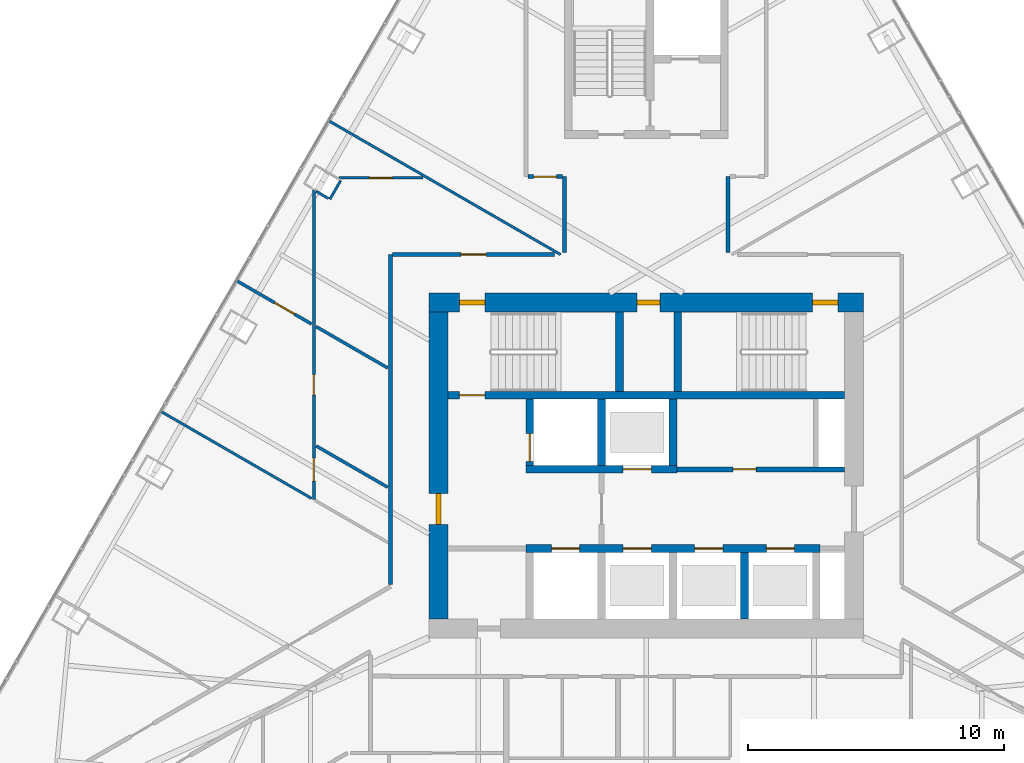
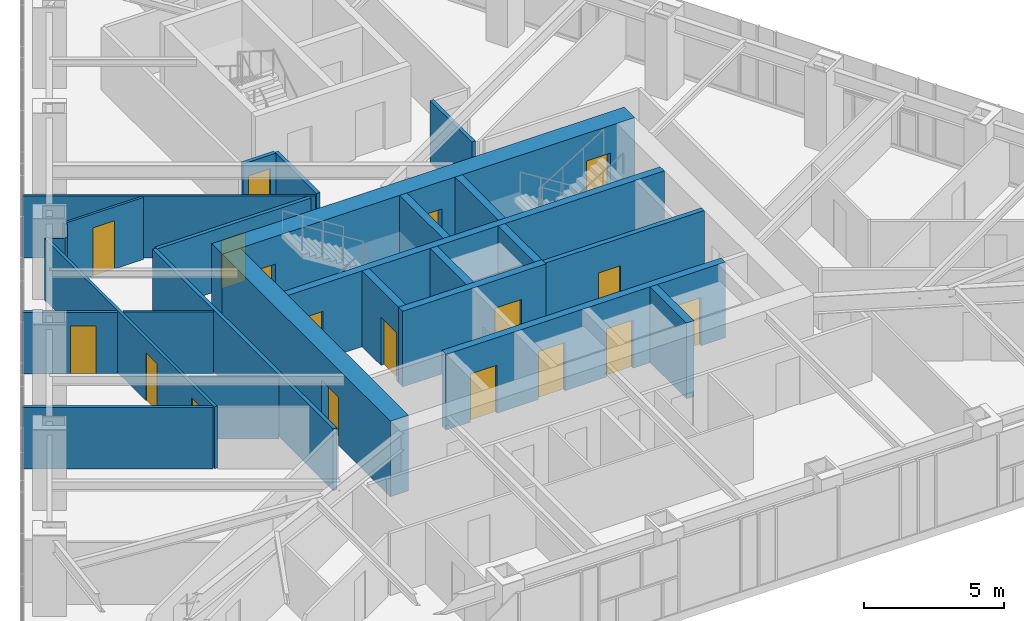
# One storey, part 16 of 20: 26 walls, 18 doors, 18 openings.
"""IFC4 building model written with IfcOpenShell, lengths in metres."""

from ifc_helpers import new_model, si_unit, direction, frame, frame_2d, origin, place, context, subcontext, project, spatial, rectangle, extrude, material, layer, layer_set, type_object, element, fill, save


model = new_model("IFC4")

# Units and contexts
model_context = context("Model", 3, precision=1e-05, world=origin(), true_north=direction((0.0, 1.0)))
body_context = subcontext(model_context, "Body", "Model", "MODEL_VIEW")
ifc_project = project(units=[si_unit("LENGTHUNIT", "METRE"), si_unit("AREAUNIT", "SQUARE_METRE"), si_unit("VOLUMEUNIT", "CUBIC_METRE"), si_unit("PLANEANGLEUNIT", "RADIAN"), si_unit("MASSUNIT", "GRAM", prefix="KILO")], contexts=[model_context])

# Site, building, storey
site_placement = place(None, origin())
site = spatial("IfcSite", under=ifc_project, at=site_placement, CompositionType="ELEMENT")
building_placement = place(site_placement, origin())
building = spatial("IfcBuilding", under=site, at=building_placement, Name="Firuza Gate Tower and Library", CompositionType="ELEMENT")
storey_placement = place(building_placement, frame((0.0, 0.0, 277.60009765625)))
storey = spatial("IfcBuildingStorey", under=building, at=storey_placement, Name="L66", CompositionType="ELEMENT", Elevation=277.60009765625)

# Wall, opening, door
ifc_material_1 = material(Name="Plasterboard on steel studs", Category="steel")
ifc_layer_1 = layer(ifc_material_1, 0.199951171875)
ifc_layer_set_1 = layer_set([ifc_layer_1], Name="Core partition 200 EI 120")
wall_type_1 = type_object("IfcWallType", Name="Core partition 200 EI 120", PredefinedType="PARTITIONING", material=ifc_layer_set_1)
wall_1_placement = place(storey_placement, frame((76.199951171875, 74.85009765625, 0.0), z_axis=(0.0, 0.0, 1.0), x_axis=(1.0, 0.0, 0.0)))
wall_1 = element("IfcWall", 1, at=wall_1_placement, inside=storey, type_object=wall_type_1, Name="Core partition L66 3", PredefinedType="PARTITIONING", context=body_context, shape_type="SweptSolid", body=[
    extrude(rectangle(XDim=6.550048828125, YDim=0.199951171875, at=frame_2d((3.27490234375, 0.0))), origin(), (0.0, 0.0, 1.0), 3.2998046875),
])
opening_1_placement = place(wall_1_placement, frame((2.199951171875, 0.0, 0.0)))
opening_1 = element("IfcOpeningElement", 2, at=opening_1_placement, cuts=wall_1, Name="Opening L66-K18", PredefinedType="OPENING", context=body_context, shape_type="SweptSolid", body=[
    extrude(rectangle(XDim=0.89990234375, YDim=2.10009765625, at=frame_2d((0.449951171875, 1.050048828125))), frame((0.0, 0.10986328125, 0.0), z_axis=(0.0, -1.0, 0.0), x_axis=(1.0, 0.0, 0.0)), (0.0, 0.0, 1.0), 0.219970703125),
])
ifc_material_2 = material(Name="Steel", Category="steel")
door_type_1 = type_object("IfcDoorType", Name="Fire door 900x2100 FD30S", OperationType="NOTDEFINED", PredefinedType="DOOR", material=ifc_material_2)
door_1_placement = place(opening_1_placement, origin())
door_1 = element("IfcDoor", 3, at=door_1_placement, inside=storey, type_object=door_type_1, Name="Door L66-K18", OperationType="SINGLE_SWING_LEFT", OverallHeight=2.10009765625, OverallWidth=0.89990234375, PredefinedType="DOOR", context=body_context, shape_type="SweptSolid", body=[
    extrude(rectangle(XDim=0.89990234375, YDim=2.10009765625, at=frame_2d((0.449951171875, 1.050048828125))), frame((0.0, 0.02490234375, 0.0), z_axis=(0.0, -1.0, 0.0), x_axis=(1.0, 0.0, 0.0)), (0.0, 0.0, 1.0), 0.050048828125),
])
fill(opening_1, door_1)

# Wall, openings, doors
ifc_material_3 = material(Name="Concrete C60/75", Category="concrete")
ifc_layer_2 = layer(ifc_material_3, 0.300048828125)
ifc_layer_set_2 = layer_set([ifc_layer_2], Name="Core wall 300 C60/75")
wall_type_2 = type_object("IfcWallType", Name="Core wall 300 C60/75", PredefinedType="SHEAR", material=ifc_layer_set_2)
wall_2_placement = place(storey_placement, frame((70.300048828125, 71.75, 0.0), z_axis=(0.0, 0.0, 1.0), x_axis=(1.0, 0.0, 0.0)))
wall_2 = element("IfcWall", 4, at=wall_2_placement, inside=storey, type_object=wall_type_2, Name="Core wall L66 5", PredefinedType="SHEAR", context=body_context, shape_type="SweptSolid", body=[
    extrude(rectangle(XDim=11.5, YDim=0.300048828125, at=frame_2d((5.75, 0.0))), origin(), (0.0, 0.0, 1.0), 3.2998046875),
])
opening_2_placement = place(wall_2_placement, frame((1.0, 0.0, 0.0)))
opening_2 = element("IfcOpeningElement", 5, at=opening_2_placement, cuts=wall_2, Name="Opening LD-FF1-L66", PredefinedType="OPENING", context=body_context, shape_type="SweptSolid", body=[
    extrude(rectangle(XDim=1.10009765625, YDim=2.10009765625, at=frame_2d((0.550048828125, 1.050048828125))), frame((0.0, 0.16015625, 0.0), z_axis=(0.0, -1.0, 0.0), x_axis=(1.0, 0.0, 0.0)), (0.0, 0.0, 1.0), 0.320068359375),
])
opening_3_placement = place(wall_2_placement, frame((3.800048828125, 0.0, 0.0)))
opening_3 = element("IfcOpeningElement", 6, at=opening_3_placement, cuts=wall_2, Name="Opening LD-HR1-L66", PredefinedType="OPENING", context=body_context, shape_type="SweptSolid", body=[
    extrude(rectangle(XDim=1.10009765625, YDim=2.10009765625, at=frame_2d((0.550048828125, 1.050048828125))), frame((0.0, 0.16015625, 0.0), z_axis=(0.0, -1.0, 0.0), x_axis=(1.0, 0.0, 0.0)), (0.0, 0.0, 1.0), 0.320068359375),
])
opening_4_placement = place(wall_2_placement, frame((6.60009765625, 0.0, 0.0)))
opening_4 = element("IfcOpeningElement", 7, at=opening_4_placement, cuts=wall_2, Name="Opening LD-HR2-L66", PredefinedType="OPENING", context=body_context, shape_type="SweptSolid", body=[
    extrude(rectangle(XDim=1.10009765625, YDim=2.10009765625, at=frame_2d((0.550048828125, 1.050048828125))), frame((0.0, 0.16015625, 0.0), z_axis=(0.0, -1.0, 0.0), x_axis=(1.0, 0.0, 0.0)), (0.0, 0.0, 1.0), 0.320068359375),
])
opening_5_placement = place(wall_2_placement, frame((9.39990234375, 0.0, 0.0)))
opening_5 = element("IfcOpeningElement", 8, at=opening_5_placement, cuts=wall_2, Name="Opening LD-HR3-L66", PredefinedType="OPENING", context=body_context, shape_type="SweptSolid", body=[
    extrude(rectangle(XDim=1.10009765625, YDim=2.10009765625, at=frame_2d((0.550048828125, 1.050048828125))), frame((0.0, 0.16015625, 0.0), z_axis=(0.0, -1.0, 0.0), x_axis=(1.0, 0.0, 0.0)), (0.0, 0.0, 1.0), 0.320068359375),
])
ifc_material_4 = material(Name="Stainless steel", Category="steel")
door_type_2 = type_object("IfcDoorType", Name="Lift landing door 1100x2100", OperationType="DOUBLE_DOOR_SLIDING", PredefinedType="DOOR", material=ifc_material_4)
door_2_placement = place(opening_2_placement, origin())
door_2 = element("IfcDoor", 9, at=door_2_placement, inside=storey, type_object=door_type_2, Name="Landing door FF1 L66", OperationType="DOUBLE_DOOR_SLIDING", OverallHeight=2.10009765625, OverallWidth=1.10009765625, PredefinedType="DOOR", context=body_context, shape_type="SweptSolid", body=[
    extrude(rectangle(XDim=1.10009765625, YDim=2.10009765625, at=frame_2d((0.550048828125, 1.050048828125))), frame((0.0, 0.02490234375, 0.0), z_axis=(0.0, -1.0, 0.0), x_axis=(1.0, 0.0, 0.0)), (0.0, 0.0, 1.0), 0.050048828125),
])
fill(opening_2, door_2)
door_3_placement = place(opening_3_placement, origin())
door_3 = element("IfcDoor", 10, at=door_3_placement, inside=storey, type_object=door_type_2, Name="Landing door HR1 L66", OperationType="DOUBLE_DOOR_SLIDING", OverallHeight=2.10009765625, OverallWidth=1.10009765625, PredefinedType="DOOR", context=body_context, shape_type="SweptSolid", body=[
    extrude(rectangle(XDim=1.10009765625, YDim=2.10009765625, at=frame_2d((0.550048828125, 1.050048828125))), frame((0.0, 0.02490234375, 0.0), z_axis=(0.0, -1.0, 0.0), x_axis=(1.0, 0.0, 0.0)), (0.0, 0.0, 1.0), 0.050048828125),
])
fill(opening_3, door_3)
door_4_placement = place(opening_4_placement, origin())
door_4 = element("IfcDoor", 11, at=door_4_placement, inside=storey, type_object=door_type_2, Name="Landing door HR2 L66", OperationType="DOUBLE_DOOR_SLIDING", OverallHeight=2.10009765625, OverallWidth=1.10009765625, PredefinedType="DOOR", context=body_context, shape_type="SweptSolid", body=[
    extrude(rectangle(XDim=1.10009765625, YDim=2.10009765625, at=frame_2d((0.550048828125, 1.050048828125))), frame((0.0, 0.02490234375, 0.0), z_axis=(0.0, -1.0, 0.0), x_axis=(1.0, 0.0, 0.0)), (0.0, 0.0, 1.0), 0.050048828125),
])
fill(opening_4, door_4)
door_5_placement = place(opening_5_placement, origin())
door_5 = element("IfcDoor", 12, at=door_5_placement, inside=storey, type_object=door_type_2, Name="Landing door HR3 L66", OperationType="DOUBLE_DOOR_SLIDING", OverallHeight=2.10009765625, OverallWidth=1.10009765625, PredefinedType="DOOR", context=body_context, shape_type="SweptSolid", body=[
    extrude(rectangle(XDim=1.10009765625, YDim=2.10009765625, at=frame_2d((0.550048828125, 1.050048828125))), frame((0.0, 0.02490234375, 0.0), z_axis=(0.0, -1.0, 0.0), x_axis=(1.0, 0.0, 0.0)), (0.0, 0.0, 1.0), 0.050048828125),
])
fill(opening_5, door_5)

# Wall, opening, door
wall_3_placement = place(storey_placement, frame((70.300048828125, 74.85009765625, 0.0), z_axis=(0.0, 0.0, 1.0), x_axis=(1.0, 0.0, 0.0)))
wall_3 = element("IfcWall", 13, at=wall_3_placement, inside=storey, type_object=wall_type_2, Name="Core wall L66 6", PredefinedType="SHEAR", context=body_context, shape_type="SweptSolid", body=[
    extrude(rectangle(XDim=5.89990234375, YDim=0.300048828125, at=frame_2d((2.949951171875, 0.0))), origin(), (0.0, 0.0, 1.0), 3.2998046875),
])
opening_6_placement = place(wall_3_placement, frame((3.800048828125, 0.0, 0.0)))
opening_6 = element("IfcOpeningElement", 14, at=opening_6_placement, cuts=wall_3, Name="Opening LD-HR4-L66", PredefinedType="OPENING", context=body_context, shape_type="SweptSolid", body=[
    extrude(rectangle(XDim=1.10009765625, YDim=2.10009765625, at=frame_2d((0.550048828125, 1.050048828125))), frame((0.0, 0.16015625, 0.0), z_axis=(0.0, -1.0, 0.0), x_axis=(1.0, 0.0, 0.0)), (0.0, 0.0, 1.0), 0.320068359375),
])
door_6_placement = place(opening_6_placement, origin())
door_6 = element("IfcDoor", 15, at=door_6_placement, inside=storey, type_object=door_type_2, Name="Landing door HR4 L66", OperationType="DOUBLE_DOOR_SLIDING", OverallHeight=2.10009765625, OverallWidth=1.10009765625, PredefinedType="DOOR", context=body_context, shape_type="SweptSolid", body=[
    extrude(rectangle(XDim=1.10009765625, YDim=2.10009765625, at=frame_2d((0.550048828125, 1.050048828125))), frame((0.0, 0.02490234375, 0.0), z_axis=(0.0, -1.0, 0.0), x_axis=(1.0, 0.0, 0.0)), (0.0, 0.0, 1.0), 0.050048828125),
])
fill(opening_6, door_6)

wall_4_placement = place(storey_placement, frame((70.449951171875, 75.0, 0.0), z_axis=(0.0, 0.0, 1.0), x_axis=(0.0, 1.0, 0.0)))
wall_4 = element("IfcWall", 16, at=wall_4_placement, inside=storey, type_object=wall_type_2, Name="Core wall L66 8", PredefinedType="SHEAR", context=body_context, shape_type="SweptSolid", body=[
    extrude(rectangle(XDim=2.60009765625, YDim=0.300048828125, at=frame_2d((1.300048828125, 0.0))), origin(), (0.0, 0.0, 1.0), 3.2998046875),
])
opening_7_placement = place(wall_4_placement, frame((0.14990234375, 0.0, 0.0)))
opening_7 = element("IfcOpeningElement", 17, at=opening_7_placement, cuts=wall_4, Name="Opening LD-FF2-L66", PredefinedType="OPENING", context=body_context, shape_type="SweptSolid", body=[
    extrude(rectangle(XDim=1.10009765625, YDim=2.10009765625, at=frame_2d((0.550048828125, 1.050048828125))), frame((0.0, 0.16015625, 0.0), z_axis=(0.0, -1.0, 0.0), x_axis=(1.0, 0.0, 0.0)), (0.0, 0.0, 1.0), 0.320068359375),
])
door_7_placement = place(opening_7_placement, origin())
door_7 = element("IfcDoor", 18, at=door_7_placement, inside=storey, type_object=door_type_2, Name="Landing door FF2 L66", OperationType="DOUBLE_DOOR_SLIDING", OverallHeight=2.10009765625, OverallWidth=1.10009765625, PredefinedType="DOOR", context=body_context, shape_type="SweptSolid", body=[
    extrude(rectangle(XDim=1.10009765625, YDim=2.10009765625, at=frame_2d((0.550048828125, 1.050048828125))), frame((0.0, 0.02490234375, 0.0), z_axis=(0.0, -1.0, 0.0), x_axis=(1.0, 0.0, 0.0)), (0.0, 0.0, 1.0), 0.050048828125),
])
fill(opening_7, door_7)

# Walls
for number, where, z_axis, x_axis, name in (
    (19, (73.25, 75.0, 0.0), (0.0, 0.0, 1.0), (0.0, 1.0, 0.0), "Core wall L66 10"),
    (20, (76.050048828125, 75.0, 0.0), (0.0, 0.0, 1.0), (0.0, 1.0, 0.0), "Core wall L66 12"),
    (21, (78.85009765625, 69.0, 0.0), (0.0, 0.0, 1.0), (0.0, 1.0, 0.0), "Core wall L66 13"),
):
    element("IfcWall", number, at=place(storey_placement, frame(where, z_axis=z_axis, x_axis=x_axis)), inside=storey, type_object=wall_type_2, Name=name, PredefinedType="SHEAR", context=body_context, shape_type="SweptSolid", body=[
        extrude(rectangle(XDim=2.60009765625, YDim=0.300048828125, at=frame_2d((1.300048828125, 0.0))), origin(), (0.0, 0.0, 1.0), 3.2998046875),
    ])

# Wall, opening, door
wall_5_placement = place(storey_placement, frame((67.25, 77.75, 0.0), z_axis=(0.0, 0.0, 1.0), x_axis=(1.0, 0.0, 0.0)))
wall_5 = element("IfcWall", 22, at=wall_5_placement, inside=storey, type_object=wall_type_2, Name="Core wall L66 15", PredefinedType="SHEAR", context=body_context, shape_type="SweptSolid", body=[
    extrude(rectangle(XDim=15.5, YDim=0.300048828125, at=frame_2d((7.75, 0.0))), origin(), (0.0, 0.0, 1.0), 3.2998046875),
])
opening_8_placement = place(wall_5_placement, frame((0.445068359375, 0.0, 0.0)))
opening_8 = element("IfcOpeningElement", 23, at=opening_8_placement, cuts=wall_5, Name="Opening L66-K08", PredefinedType="OPENING", context=body_context, shape_type="SweptSolid", body=[
    extrude(rectangle(XDim=1.0, YDim=2.10009765625, at=frame_2d((0.5, 1.050048828125))), frame((0.0, 0.16015625, 0.0), z_axis=(0.0, -1.0, 0.0), x_axis=(1.0, 0.0, 0.0)), (0.0, 0.0, 1.0), 0.320068359375),
])
ifc_material_5 = material(Name="Steel", Category="steel")
door_type_3 = type_object("IfcDoorType", Name="Fire door 1000x2100 FD90", OperationType="NOTDEFINED", PredefinedType="DOOR", material=ifc_material_5)
door_8_placement = place(opening_8_placement, origin())
door_8 = element("IfcDoor", 24, at=door_8_placement, inside=storey, type_object=door_type_3, Name="Door L66-K08", OperationType="SINGLE_SWING_LEFT", OverallHeight=2.10009765625, OverallWidth=1.0, PredefinedType="DOOR", context=body_context, shape_type="SweptSolid", body=[
    extrude(rectangle(XDim=1.0, YDim=2.10009765625, at=frame_2d((0.5, 1.050048828125))), frame((0.0, 0.02490234375, 0.0), z_axis=(0.0, -1.0, 0.0), x_axis=(1.0, 0.0, 0.0)), (0.0, 0.0, 1.0), 0.050048828125),
])
fill(opening_8, door_8)

# Walls
for number, where, z_axis, x_axis, name in (
    (25, (73.9599609375, 77.89990234375, 0.0), (0.0, 0.0, 1.0), (0.0, 1.0, 0.0), "Core wall L66 16"),
    (26, (76.239990234375, 77.89990234375, 0.0), (0.0, 0.0, 1.0), (0.0, 1.0, 0.0), "Core wall L66 17"),
):
    element("IfcWall", number, at=place(storey_placement, frame(where, z_axis=z_axis, x_axis=x_axis)), inside=storey, type_object=wall_type_2, Name=name, PredefinedType="SHEAR", context=body_context, shape_type="SweptSolid", body=[
        extrude(rectangle(XDim=3.10009765625, YDim=0.300048828125, at=frame_2d((1.550048828125, 0.0))), origin(), (0.0, 0.0, 1.0), 3.2998046875),
    ])

# Wall, openings, doors
ifc_material_6 = material(Name="Concrete C60/75", Category="concrete")
ifc_layer_3 = layer(ifc_material_6, 0.75)
ifc_layer_set_3 = layer_set([ifc_layer_3], Name="Core wall 750 C60/75")
wall_type_3 = type_object("IfcWallType", Name="Core wall 750 C60/75", PredefinedType="SHEAR", material=ifc_layer_set_3)
wall_6_placement = place(storey_placement, frame((66.5, 81.375, 0.0), z_axis=(0.0, 0.0, 1.0), x_axis=(1.0, 0.0, 0.0)))
wall_6 = element("IfcWall", 27, at=wall_6_placement, inside=storey, type_object=wall_type_3, Name="Core wall L66 2", PredefinedType="SHEAR", context=body_context, shape_type="SweptSolid", body=[
    extrude(rectangle(XDim=17.0, YDim=0.75, at=frame_2d((8.5, 0.0))), origin(), (0.0, 0.0, 1.0), 3.2998046875),
])
opening_9_placement = place(wall_6_placement, frame((1.195068359375, 0.0, 0.0)))
opening_9 = element("IfcOpeningElement", 28, at=opening_9_placement, cuts=wall_6, Name="Opening L66-K09", PredefinedType="OPENING", context=body_context, shape_type="SweptSolid", body=[
    extrude(rectangle(XDim=1.0, YDim=2.10009765625, at=frame_2d((0.5, 1.050048828125))), frame((0.0, 0.385009765625, 0.0), z_axis=(0.0, -1.0, 0.0), x_axis=(1.0, 0.0, 0.0)), (0.0, 0.0, 1.0), 0.77001953125),
])
opening_10_placement = place(wall_6_placement, frame((15.0048828125, 0.0, 0.0)))
opening_10 = element("IfcOpeningElement", 29, at=opening_10_placement, cuts=wall_6, Name="Opening L66-K10", PredefinedType="OPENING", context=body_context, shape_type="SweptSolid", body=[
    extrude(rectangle(XDim=1.0, YDim=2.10009765625, at=frame_2d((0.5, 1.050048828125))), frame((0.0, 0.385009765625, 0.0), z_axis=(0.0, -1.0, 0.0), x_axis=(1.0, 0.0, 0.0)), (0.0, 0.0, 1.0), 0.77001953125),
])
opening_11_placement = place(wall_6_placement, frame((8.14990234375, 0.0, 0.0)))
opening_11 = element("IfcOpeningElement", 30, at=opening_11_placement, cuts=wall_6, Name="Opening L66-K19", PredefinedType="OPENING", context=body_context, shape_type="SweptSolid", body=[
    extrude(rectangle(XDim=0.89990234375, YDim=2.10009765625, at=frame_2d((0.449951171875, 1.050048828125))), frame((0.0, 0.385009765625, 0.0), z_axis=(0.0, -1.0, 0.0), x_axis=(1.0, 0.0, 0.0)), (0.0, 0.0, 1.0), 0.77001953125),
])
door_9_placement = place(opening_9_placement, origin())
door_9 = element("IfcDoor", 31, at=door_9_placement, inside=storey, type_object=door_type_3, Name="Door L66-K09", OperationType="SINGLE_SWING_RIGHT", OverallHeight=2.10009765625, OverallWidth=1.0, PredefinedType="DOOR", context=body_context, shape_type="SweptSolid", body=[
    extrude(rectangle(XDim=1.0, YDim=2.10009765625, at=frame_2d((0.5, 1.050048828125))), frame((0.0, 0.094970703125, 0.0), z_axis=(0.0, -1.0, 0.0), x_axis=(1.0, 0.0, 0.0)), (0.0, 0.0, 1.0), 0.18994140625),
])
fill(opening_9, door_9)
door_10_placement = place(opening_10_placement, origin())
door_10 = element("IfcDoor", 32, at=door_10_placement, inside=storey, type_object=door_type_3, Name="Door L66-K10", OperationType="SINGLE_SWING_LEFT", OverallHeight=2.10009765625, OverallWidth=1.0, PredefinedType="DOOR", context=body_context, shape_type="SweptSolid", body=[
    extrude(rectangle(XDim=1.0, YDim=2.10009765625, at=frame_2d((0.5, 1.050048828125))), frame((0.0, 0.094970703125, 0.0), z_axis=(0.0, -1.0, 0.0), x_axis=(1.0, 0.0, 0.0)), (0.0, 0.0, 1.0), 0.18994140625),
])
fill(opening_10, door_10)
door_11_placement = place(opening_11_placement, origin())
door_11 = element("IfcDoor", 33, at=door_11_placement, inside=storey, type_object=door_type_1, Name="Door L66-K19", OperationType="SINGLE_SWING_RIGHT", OverallHeight=2.10009765625, OverallWidth=0.89990234375, PredefinedType="DOOR", context=body_context, shape_type="SweptSolid", body=[
    extrude(rectangle(XDim=0.89990234375, YDim=2.10009765625, at=frame_2d((0.449951171875, 1.050048828125))), frame((0.0, 0.094970703125, 0.0), z_axis=(0.0, -1.0, 0.0), x_axis=(1.0, 0.0, 0.0)), (0.0, 0.0, 1.0), 0.18994140625),
])
fill(opening_11, door_11)

# Wall, opening, door
wall_7_placement = place(storey_placement, frame((66.875, 69.0, 0.0), z_axis=(0.0, 0.0, 1.0), x_axis=(0.0, 1.0, 0.0)))
wall_7 = element("IfcWall", 34, at=wall_7_placement, inside=storey, type_object=wall_type_3, Name="Core wall L66 3", PredefinedType="SHEAR", context=body_context, shape_type="SweptSolid", body=[
    extrude(rectangle(XDim=12.0, YDim=0.75, at=frame_2d((6.0, 0.0))), origin(), (0.0, 0.0, 1.0), 3.2998046875),
])
opening_12_placement = place(wall_7_placement, frame((3.699951171875, 0.0, 0.0)))
opening_12 = element("IfcOpeningElement", 35, at=opening_12_placement, cuts=wall_7, Name="Opening L66-K15", PredefinedType="OPENING", context=body_context, shape_type="SweptSolid", body=[
    extrude(rectangle(XDim=1.199951171875, YDim=2.10009765625, at=frame_2d((0.60009765625, 1.050048828125))), frame((0.0, 0.385009765625, 0.0), z_axis=(0.0, -1.0, 0.0), x_axis=(1.0, 0.0, 0.0)), (0.0, 0.0, 1.0), 0.77001953125),
])
ifc_material_7 = material(Name="Steel", Category="steel")
door_type_4 = type_object("IfcDoorType", Name="Fire door 1200x2100 FD90S", OperationType="NOTDEFINED", PredefinedType="DOOR", material=ifc_material_7)
door_12_placement = place(opening_12_placement, origin())
door_12 = element("IfcDoor", 36, at=door_12_placement, inside=storey, type_object=door_type_4, Name="Door L66-K15", OperationType="SINGLE_SWING_RIGHT", OverallHeight=2.10009765625, OverallWidth=1.199951171875, PredefinedType="DOOR", context=body_context, shape_type="SweptSolid", body=[
    extrude(rectangle(XDim=1.199951171875, YDim=2.10009765625, at=frame_2d((0.60009765625, 1.050048828125))), frame((0.0, 0.094970703125, 0.0), z_axis=(0.0, -1.0, 0.0), x_axis=(1.0, 0.0, 0.0)), (0.0, 0.0, 1.0), 0.18994140625),
])
fill(opening_12, door_12)

ifc_material_8 = material(Name="Gypsum board partition")
ifc_layer_4 = layer(ifc_material_8, 0.14990234375)
ifc_layer_set_4 = layer_set([ifc_layer_4], Name="Corridor wall 150 double board on steel studs")
wall_type_4 = type_object("IfcWallType", Name="Corridor wall 150 double board on steel studs", PredefinedType="PARTITIONING", material=ifc_layer_set_4)
wall_8_placement = place(storey_placement, frame((65.074951171875, 83.25, 0.0), z_axis=(0.0, 0.0, 1.0), x_axis=(1.0, 0.0, 0.0)))
wall_8 = element("IfcWall", 37, at=wall_8_placement, inside=storey, type_object=wall_type_4, Name="f:L66:w006", PredefinedType="PARTITIONING", context=body_context, shape_type="SweptSolid", body=[
    extrude(rectangle(XDim=6.344970703125, YDim=0.14990234375, at=frame_2d((3.17236328125, 0.0))), origin(), (0.0, 0.0, 1.0), 2.699951171875),
])
opening_13_placement = place(wall_8_placement, frame((2.67236328125, 0.0, 0.0)))
opening_13 = element("IfcOpeningElement", 38, at=opening_13_placement, cuts=wall_8, Name="Opening L66-07", PredefinedType="OPENING", context=body_context, shape_type="SweptSolid", body=[
    extrude(rectangle(XDim=1.0, YDim=2.10009765625, at=frame_2d((0.5, 1.050048828125))), frame((0.0, 0.0849609375, 0.0), z_axis=(0.0, -1.0, 0.0), x_axis=(1.0, 0.0, 0.0)), (0.0, 0.0, 1.0), 0.169921875),
])
ifc_material_9 = material(Name="Steel door and timber leaf", Category="steel")
door_type_5 = type_object("IfcDoorType", Name="Fire door 1000 x 2100 steel frame, timber leaf", OperationType="NOTDEFINED", PredefinedType="DOOR", material=ifc_material_9)
door_13_placement = place(opening_13_placement, origin())
door_13 = element("IfcDoor", 39, at=door_13_placement, inside=storey, type_object=door_type_5, Name="f:L66:d007", OperationType="SINGLE_SWING_RIGHT", OverallHeight=2.10009765625, OverallWidth=1.0, PredefinedType="DOOR", context=body_context, shape_type="SweptSolid", body=[
    extrude(rectangle(XDim=1.0, YDim=2.10009765625, at=frame_2d((0.5, 1.050048828125))), frame((0.0, 0.02490234375, 0.0), z_axis=(0.0, -1.0, 0.0), x_axis=(1.0, 0.0, 0.0)), (0.0, 0.0, 1.0), 0.050048828125),
])
fill(opening_13, door_13)

wall_9_placement = place(storey_placement, frame((70.376953125, 86.300048828125, 0.0), z_axis=(0.0, 0.0, 1.0), x_axis=(1.0, 0.0, 0.0)))
wall_9 = element("IfcWall", 40, at=wall_9_placement, inside=storey, type_object=wall_type_4, Name="f:L66:w009", PredefinedType="PARTITIONING", context=body_context, shape_type="SweptSolid", body=[
    extrude(rectangle(XDim=1.347900390625, YDim=0.14990234375, at=frame_2d((0.673828125, 0.0))), origin(), (0.0, 0.0, 1.0), 2.699951171875),
])
opening_14_placement = place(wall_9_placement, frame((0.223876953125, 0.0, 0.0)))
opening_14 = element("IfcOpeningElement", 41, at=opening_14_placement, cuts=wall_9, Name="Opening L66-10", PredefinedType="OPENING", context=body_context, shape_type="SweptSolid", body=[
    extrude(rectangle(XDim=0.89990234375, YDim=2.10009765625, at=frame_2d((0.449951171875, 1.050048828125))), frame((0.0, 0.0849609375, 0.0), z_axis=(0.0, -1.0, 0.0), x_axis=(1.0, 0.0, 0.0)), (0.0, 0.0, 1.0), 0.169921875),
])
ifc_material_10 = material(Name="Steel door and timber leaf", Category="steel")
door_type_6 = type_object("IfcDoorType", Name="Fire door 900 x 2100 steel frame, timber leaf", OperationType="NOTDEFINED", PredefinedType="DOOR", material=ifc_material_10)
door_14_placement = place(opening_14_placement, origin())
door_14 = element("IfcDoor", 42, at=door_14_placement, inside=storey, type_object=door_type_6, Name="f:L66:d010", OperationType="SINGLE_SWING_RIGHT", OverallHeight=2.10009765625, OverallWidth=0.89990234375, PredefinedType="DOOR", context=body_context, shape_type="SweptSolid", body=[
    extrude(rectangle(XDim=0.89990234375, YDim=2.10009765625, at=frame_2d((0.449951171875, 1.050048828125))), frame((0.0, 0.02490234375, 0.0), z_axis=(0.0, -1.0, 0.0), x_axis=(1.0, 0.0, 0.0)), (0.0, 0.0, 1.0), 0.050048828125),
])
fill(opening_14, door_14)

# Walls
for number, where, z_axis, x_axis, name in (
    (43, (78.199951171875, 83.324951171875, 0.0), (0.0, 0.0, 1.0), (0.0, 1.0, 0.0), "f:L66:w035"),
    (44, (71.800048828125, 83.324951171875, 0.0), (0.0, 0.0, 1.0), (0.0, 1.0, 0.0), "f:L66:w042"),
):
    element("IfcWall", number, at=place(storey_placement, frame(where, z_axis=z_axis, x_axis=x_axis)), inside=storey, type_object=wall_type_4, Name=name, PredefinedType="PARTITIONING", context=body_context, shape_type="SweptSolid", body=[
        extrude(rectangle(XDim=2.97509765625, YDim=0.14990234375, at=frame_2d((1.487548828125, 0.0))), origin(), (0.0, 0.0, 1.0), 2.697021484375),
    ])
wall_10_placement = place(storey_placement, frame((65.0, 70.352294921875, 0.0), z_axis=(0.0, 0.0, 1.0), x_axis=(0.0, 1.0, 0.0)))
element("IfcWall", 45, at=wall_10_placement, inside=storey, type_object=wall_type_4, Name="f:L66:w047", PredefinedType="PARTITIONING", context=body_context, shape_type="SweptSolid", body=[
    extrude(rectangle(XDim=12.897705078125, YDim=0.14990234375, at=frame_2d((6.44873046875, 0.0))), origin(), (0.0, 0.0, 1.0), 2.699951171875),
])

# Wall, opening, door
ifc_material_11 = material(Name="Gypsum board partition")
ifc_layer_5 = layer(ifc_material_11, 0.10009765625)
ifc_layer_set_5 = layer_set([ifc_layer_5], Name="Partition 100 gypsum board on steel studs")
wall_type_5 = type_object("IfcWallType", Name="Partition 100 gypsum board on steel studs", PredefinedType="PARTITIONING", material=ifc_layer_set_5)
wall_11_placement = place(storey_placement, frame((66.2666015625, 86.25, 0.0), z_axis=(0.0, 0.0, 1.0), x_axis=(-1.0, 0.0, 0.0)))
wall_11 = element("IfcWall", 46, at=wall_11_placement, inside=storey, type_object=wall_type_5, Name="f:L66:w008", PredefinedType="PARTITIONING", context=body_context, shape_type="SweptSolid", body=[
    extrude(rectangle(XDim=3.286865234375, YDim=0.10009765625, at=frame_2d((1.6435546875, 0.0))), origin(), (0.0, 0.0, 1.0), 2.699951171875),
])
opening_15_placement = place(wall_11_placement, frame((1.193359375, 0.0, 0.0)))
opening_15 = element("IfcOpeningElement", 47, at=opening_15_placement, cuts=wall_11, Name="Opening L66-09", PredefinedType="OPENING", context=body_context, shape_type="SweptSolid", body=[
    extrude(rectangle(XDim=0.89990234375, YDim=2.10009765625, at=frame_2d((0.449951171875, 1.050048828125))), frame((0.0, 0.06005859375, 0.0), z_axis=(0.0, -1.0, 0.0), x_axis=(1.0, 0.0, 0.0)), (0.0, 0.0, 1.0), 0.1201171875),
])
ifc_material_12 = material(Name="Timber door", Category="wood")
door_type_7 = type_object("IfcDoorType", Name="Door 900 x 2100 timber leaf", OperationType="NOTDEFINED", PredefinedType="DOOR", material=ifc_material_12)
door_15_placement = place(opening_15_placement, origin())
door_15 = element("IfcDoor", 48, at=door_15_placement, inside=storey, type_object=door_type_7, Name="f:L66:d009", OperationType="SINGLE_SWING_RIGHT", OverallHeight=2.10009765625, OverallWidth=0.89990234375, PredefinedType="DOOR", context=body_context, shape_type="SweptSolid", body=[
    extrude(rectangle(XDim=0.89990234375, YDim=2.10009765625, at=frame_2d((0.449951171875, 1.050048828125))), frame((0.0, 0.02490234375, 0.0), z_axis=(0.0, -1.0, 0.0), x_axis=(1.0, 0.0, 0.0)), (0.0, 0.0, 1.0), 0.050048828125),
])
fill(opening_15, door_15)

# Walls
wall_12_placement = place(storey_placement, frame((62.625732421875, 85.4150390625, 0.0), z_axis=(0.0, 0.0, 1.0), x_axis=(0.499973348067, 0.866040790738, 0.0)))
element("IfcWall", 49, at=wall_12_placement, inside=storey, type_object=wall_type_5, Name="f:L66:w027", PredefinedType="PARTITIONING", context=body_context, shape_type="SweptSolid", body=[
    extrude(rectangle(XDim=0.84228515625, YDim=0.10009765625, at=frame_2d((0.421142578125, 0.0))), origin(), (0.0, 0.0, 1.0), 2.699951171875),
])
wall_13_placement = place(storey_placement, frame((71.65283203125, 83.25, 0.0), z_axis=(0.0, 0.0, 1.0), x_axis=(-0.866025448133, 0.499999923186, 0.0)))
element("IfcWall", 50, at=wall_13_placement, inside=storey, type_object=wall_type_5, Name="f:L66:w054", PredefinedType="PARTITIONING", context=body_context, shape_type="SweptSolid", body=[
    extrude(rectangle(XDim=10.4599609375, YDim=0.10009765625, at=frame_2d((5.22998046875, 0.0))), origin(), (0.0, 0.0, 1.0), 2.68798828125),
])
wall_14_placement = place(storey_placement, frame((62.57421875, 85.4453125, 0.0), z_axis=(0.0, 0.0, 1.0), x_axis=(-0.866048512801, 0.499959971872, 0.0)))
element("IfcWall", 51, at=wall_14_placement, inside=storey, type_object=wall_type_5, Name="f:L66:w056", PredefinedType="PARTITIONING", context=body_context, shape_type="SweptSolid", body=[
    extrude(rectangle(XDim=0.5634765625, YDim=0.10009765625, at=frame_2d((0.28173828125, 0.0))), origin(), (0.0, 0.0, 1.0), 2.68798828125),
])
wall_15_placement = place(storey_placement, frame((61.9150390625, 73.709716796875, 0.0), z_axis=(0.0, 0.0, 1.0), x_axis=(-0.866024081565, 0.500002290144, 0.0)))
element("IfcWall", 52, at=wall_15_placement, inside=storey, type_object=wall_type_5, Name="f:L66:w066", PredefinedType="PARTITIONING", context=body_context, shape_type="SweptSolid", body=[
    extrude(rectangle(XDim=6.796875, YDim=0.10009765625, at=frame_2d((3.3984375, 0.0))), origin(), (0.0, 0.0, 1.0), 2.68798828125),
])

# Wall, openings, doors
ifc_material_13 = material(Name="Gypsum board partition")
ifc_layer_6 = layer(ifc_material_13, 0.1201171875)
ifc_layer_set_6 = layer_set([ifc_layer_6], Name="Wet-area partition 120 moisture-resistant board")
wall_type_6 = type_object("IfcWallType", Name="Wet-area partition 120 moisture-resistant board", PredefinedType="PARTITIONING", material=ifc_layer_set_6)
wall_16_placement = place(storey_placement, frame((62.0, 85.7763671875, 0.0), z_axis=(0.0, 0.0, 1.0), x_axis=(0.0, -1.0, 0.0)))
wall_16 = element("IfcWall", 53, at=wall_16_placement, inside=storey, type_object=wall_type_6, Name="f:L66:w050", PredefinedType="PARTITIONING", context=body_context, shape_type="SweptSolid", body=[
    extrude(rectangle(XDim=12.115234375, YDim=0.1201171875, at=frame_2d((6.0576171875, 0.0))), origin(), (0.0, 0.0, 1.0), 2.68798828125),
])
opening_16_placement = place(wall_16_placement, frame((7.225830078125, 0.0, 0.0)))
opening_16 = element("IfcOpeningElement", 54, at=opening_16_placement, cuts=wall_16, Name="Opening L66-20", PredefinedType="OPENING", context=body_context, shape_type="SweptSolid", body=[
    extrude(rectangle(XDim=0.800048828125, YDim=2.10009765625, at=frame_2d((0.39990234375, 1.050048828125))), frame((0.0, 0.070068359375, 0.0), z_axis=(0.0, -1.0, 0.0), x_axis=(1.0, 0.0, 0.0)), (0.0, 0.0, 1.0), 0.14013671875),
])
opening_17_placement = place(wall_16_placement, frame((10.4873046875, 0.0, 0.0)))
opening_17 = element("IfcOpeningElement", 55, at=opening_17_placement, cuts=wall_16, Name="Opening L66-21", PredefinedType="OPENING", context=body_context, shape_type="SweptSolid", body=[
    extrude(rectangle(XDim=0.89990234375, YDim=2.10009765625, at=frame_2d((0.449951171875, 1.050048828125))), frame((0.0, 0.070068359375, 0.0), z_axis=(0.0, -1.0, 0.0), x_axis=(1.0, 0.0, 0.0)), (0.0, 0.0, 1.0), 0.14013671875),
])
ifc_material_14 = material(Name="Timber door", Category="wood")
door_type_8 = type_object("IfcDoorType", Name="Door 800 x 2100 timber leaf", OperationType="NOTDEFINED", PredefinedType="DOOR", material=ifc_material_14)
door_16_placement = place(opening_16_placement, origin())
door_16 = element("IfcDoor", 56, at=door_16_placement, inside=storey, type_object=door_type_8, Name="f:L66:d020", OperationType="SINGLE_SWING_RIGHT", OverallHeight=2.10009765625, OverallWidth=0.800048828125, PredefinedType="DOOR", context=body_context, shape_type="SweptSolid", body=[
    extrude(rectangle(XDim=0.800048828125, YDim=2.10009765625, at=frame_2d((0.39990234375, 1.050048828125))), frame((0.0, 0.02490234375, 0.0), z_axis=(0.0, -1.0, 0.0), x_axis=(1.0, 0.0, 0.0)), (0.0, 0.0, 1.0), 0.050048828125),
])
fill(opening_16, door_16)
door_17_placement = place(opening_17_placement, origin())
door_17 = element("IfcDoor", 57, at=door_17_placement, inside=storey, type_object=door_type_7, Name="f:L66:d021", OperationType="SINGLE_SWING_LEFT", OverallHeight=2.10009765625, OverallWidth=0.89990234375, PredefinedType="DOOR", context=body_context, shape_type="SweptSolid", body=[
    extrude(rectangle(XDim=0.89990234375, YDim=2.10009765625, at=frame_2d((0.449951171875, 1.050048828125))), frame((0.0, 0.02490234375, 0.0), z_axis=(0.0, -1.0, 0.0), x_axis=(1.0, 0.0, 0.0)), (0.0, 0.0, 1.0), 0.050048828125),
])
fill(opening_17, door_17)

# Walls
wall_17_placement = place(storey_placement, frame((64.890380859375, 78.815185546875, 0.0), z_axis=(0.0, 0.0, 1.0), x_axis=(-0.866032190624, 0.499988244665, 0.0)))
element("IfcWall", 58, at=wall_17_placement, inside=storey, type_object=wall_type_6, Name="f:L66:w060", PredefinedType="PARTITIONING", context=body_context, shape_type="SweptSolid", body=[
    extrude(rectangle(XDim=3.2333984375, YDim=0.1201171875, at=frame_2d((1.61669921875, 0.0))), origin(), (0.0, 0.0, 1.0), 2.699951171875),
])
wall_18_placement = place(storey_placement, frame((64.890625, 74.148681640625, 0.0), z_axis=(0.0, 0.0, 1.0), x_axis=(-0.866019355129, 0.500010476433, 0.0)))
element("IfcWall", 59, at=wall_18_placement, inside=storey, type_object=wall_type_6, Name="f:L66:w061", PredefinedType="PARTITIONING", context=body_context, shape_type="SweptSolid", body=[
    extrude(rectangle(XDim=3.228515625, YDim=0.1201171875, at=frame_2d((1.6142578125, 0.0))), origin(), (0.0, 0.0, 1.0), 2.699951171875),
])

# Wall, opening, door
wall_19_placement = place(storey_placement, frame((61.909912109375, 80.53564453125, 0.0), z_axis=(0.0, 0.0, 1.0), x_axis=(-0.866002725405, 0.500039278049, 0.0)))
wall_19 = element("IfcWall", 60, at=wall_19_placement, inside=storey, type_object=wall_type_6, Name="f:L66:w065", PredefinedType="PARTITIONING", context=body_context, shape_type="SweptSolid", body=[
    extrude(rectangle(XDim=3.379638671875, YDim=0.1201171875, at=frame_2d((1.68994140625, 0.0))), origin(), (0.0, 0.0, 1.0), 2.68798828125),
])
opening_18_placement = place(wall_19_placement, frame((0.759765625, 0.0, 0.0)))
opening_18 = element("IfcOpeningElement", 61, at=opening_18_placement, cuts=wall_19, Name="Opening L66-27", PredefinedType="OPENING", context=body_context, shape_type="SweptSolid", body=[
    extrude(rectangle(XDim=0.89990234375, YDim=2.10009765625, at=frame_2d((0.449951171875, 1.050048828125))), frame((0.0, 0.070068359375, 0.0), z_axis=(0.0, -1.0, 0.0), x_axis=(1.0, 0.0, 0.0)), (0.0, 0.0, 1.0), 0.14013671875),
])
door_18_placement = place(opening_18_placement, origin())
door_18 = element("IfcDoor", 62, at=door_18_placement, inside=storey, type_object=door_type_7, Name="f:L66:d027", OperationType="SINGLE_SWING_LEFT", OverallHeight=2.10009765625, OverallWidth=0.89990234375, PredefinedType="DOOR", context=body_context, shape_type="SweptSolid", body=[
    extrude(rectangle(XDim=0.89990234375, YDim=2.10009765625, at=frame_2d((0.449951171875, 1.050048828125))), frame((0.0, 0.02490234375, 0.0), z_axis=(0.0, -1.0, 0.0), x_axis=(1.0, 0.0, 0.0)), (0.0, 0.0, 1.0), 0.050048828125),
])
fill(opening_18, door_18)

save(model, "model.ifc")
